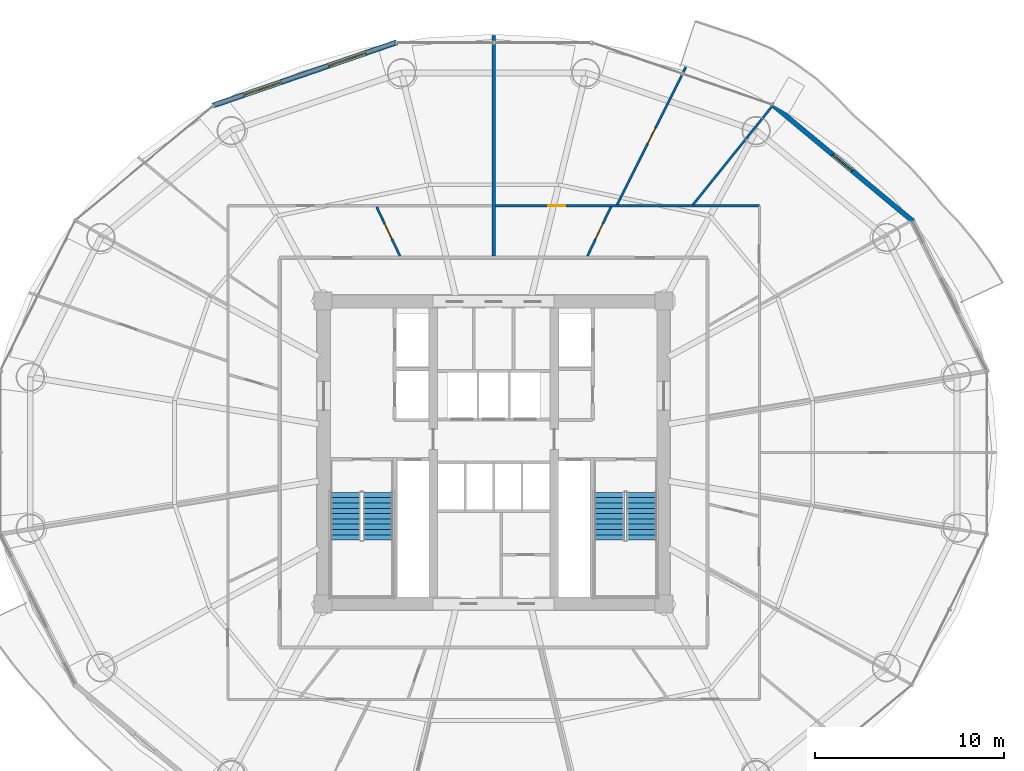
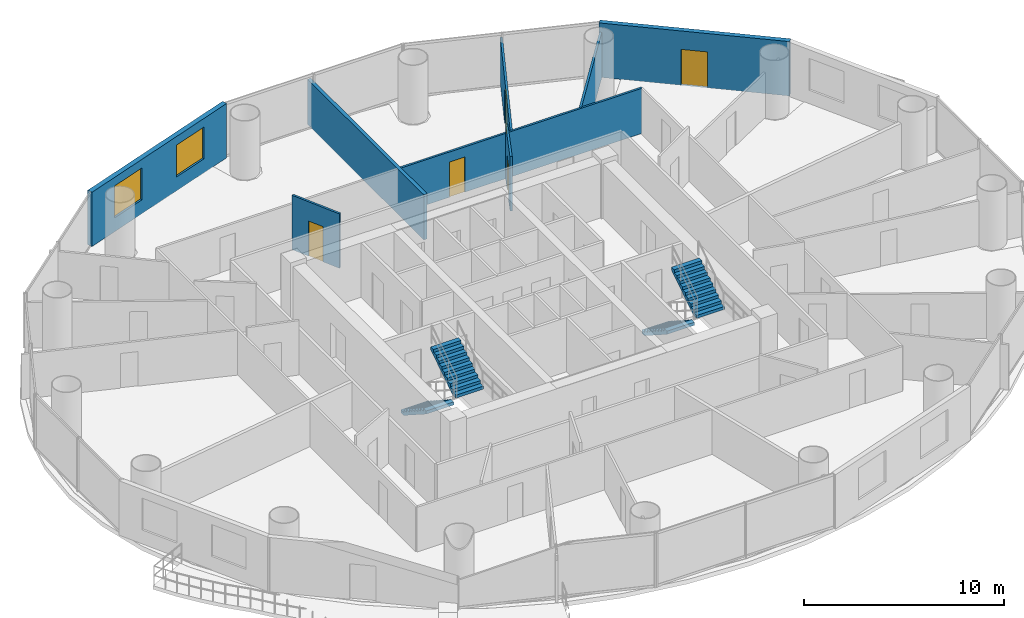
# One storey, part 25 of 29: 8 walls, 5 doors, 4 stair flights, 2 windows, 7 openings, 2 elements without a shape of their own.
"""IFC4 building model written with IfcOpenShell, lengths in metres."""

import ifcopenshell
import ifcopenshell.guid

model = None  # the IFC model being written
_history = None  # IfcOwnerHistory: only IFC2X3 demands one
_inside = {}  # id of a spatial element -> (the spatial element, [elements in it])
_under = {}  # id of a project, library or spatial element -> (it, [spatial elements below it])
_declared = {}  # id of a project -> (the project, [libraries it declares])
_typed = {}  # id of a type object -> (the type object, [elements of that type])
_made_of = {}  # id of a material, layer set ... -> (it, [elements and type objects made of it])


def new_model(schema):
    """Start an empty IFC model of exactly this schema.

    Asked for "IFC4X3", IfcOpenShell would pick the latest addendum, in which some entities
    have other attributes; the version numbers below select the first issue.
    IFC2X3 requires an IfcOwnerHistory on every rooted entity: one is made here for all.
    """
    global model, _history
    if schema == "IFC4X3":
        model = ifcopenshell.file(schema_version=(4, 3, 0, 0))
    else:
        model = ifcopenshell.file(schema=schema)
    _inside.clear()
    _under.clear()
    _declared.clear()
    _typed.clear()
    _made_of.clear()
    _history = None
    if model.schema == "IFC2X3":
        org = make("IfcOrganization", Name="unknown")
        user = make(
            "IfcPersonAndOrganization",
            ThePerson=make("IfcPerson", FamilyName="unknown"),
            TheOrganization=org,
        )
        app = make(
            "IfcApplication",
            ApplicationDeveloper=org,
            Version="unknown",
            ApplicationFullName="unknown",
            ApplicationIdentifier="unknown",
        )
        _history = make(
            "IfcOwnerHistory",
            OwningUser=user,
            OwningApplication=app,
            ChangeAction="ADDED",
            CreationDate=0,
        )
    return model


def make(cls, **values):
    """One entity of the class cls with the attributes given. An attribute that is None is left unset."""
    return model.create_entity(
        cls, **{name: value for name, value in values.items() if value is not None}
    )


def rooted(cls, **values):
    """An entity with a GlobalId (a new one), such as an element, a storey or a relation."""
    return make(cls, GlobalId=ifcopenshell.guid.new(), OwnerHistory=_history, **values)


def si_unit(unit_type, name, prefix=None):
    """IfcSIUnit, for example si_unit("LENGTHUNIT", "METRE", prefix="MILLI")."""
    return make("IfcSIUnit", UnitType=unit_type, Prefix=prefix, Name=name)


def assignment(units):
    """IfcUnitAssignment: the units of a project."""
    return None if units is None else make("IfcUnitAssignment", Units=units)


def point(xyz):
    """IfcCartesianPoint."""
    return None if xyz is None else make("IfcCartesianPoint", Coordinates=xyz)


def direction(xyz):
    """IfcDirection."""
    return None if xyz is None else make("IfcDirection", DirectionRatios=xyz)


def frame(location, z_axis=None, x_axis=None):
    """IfcAxis2Placement3D, a coordinate frame: its origin and axes. An axis left out is left unset."""
    return make(
        "IfcAxis2Placement3D",
        Location=point(location),
        Axis=direction(z_axis),
        RefDirection=direction(x_axis),
    )


def frame_2d(location, x_axis=None):
    """IfcAxis2Placement2D, a coordinate frame in the plane: its origin and x axis."""
    return make(
        "IfcAxis2Placement2D", Location=point(location), RefDirection=direction(x_axis)
    )


def origin():
    """The frame at (0, 0, 0) with its axes left unset."""
    return frame((0.0, 0.0, 0.0))


def place(relative_to, where):
    """IfcLocalPlacement: puts the frame where relative to a parent placement (None: the world)."""
    return make(
        "IfcLocalPlacement", PlacementRelTo=relative_to, RelativePlacement=where
    )


def context(
    kind, dimensions, precision=None, world=None, true_north=None, identifier=None
):
    """IfcGeometricRepresentationContext, for example the 3D "Model" context."""
    return make(
        "IfcGeometricRepresentationContext",
        ContextIdentifier=identifier,
        ContextType=kind,
        CoordinateSpaceDimension=dimensions,
        Precision=precision,
        WorldCoordinateSystem=world,
        TrueNorth=true_north,
    )


def subcontext(parent, identifier, kind, view, scale=None):
    """IfcGeometricRepresentationSubContext, for example "Body" below "Model"."""
    return make(
        "IfcGeometricRepresentationSubContext",
        ContextIdentifier=identifier,
        ContextType=kind,
        ParentContext=parent,
        TargetScale=scale,
        TargetView=view,
    )


def project(units=None, contexts=None):
    """IfcProject with its units and contexts."""
    return rooted(
        "IfcProject",
        Name="project",
        RepresentationContexts=contexts,
        UnitsInContext=assignment(units),
    )


def spatial(cls, under=None, at=None, **own):
    """A site, building, storey or space (cls), placed at a placement, below another one or the project."""
    s = rooted(cls, ObjectPlacement=at, **own)
    if under is not None:
        _under.setdefault(under.id(), (under, []))[1].append(s)
    return s


def polyline(points):
    """IfcPolyline through the points."""
    return make("IfcPolyline", Points=[point(p) for p in points])


def profile(cls, at=None, kind="AREA", **sizes):
    """A parametric profile (cls). Its sizes go by their IFC names, for example OverallWidth=200.0."""
    return make(cls, ProfileType=kind, Position=at, **sizes)


def rectangle(**sizes):
    """IfcRectangleProfileDef."""
    return profile("IfcRectangleProfileDef", **sizes)


def outline(outer, holes=None, kind="AREA"):
    """IfcArbitraryClosedProfileDef: a profile drawn as a closed curve; with holes, ...WithVoids."""
    if holes is None:
        return make("IfcArbitraryClosedProfileDef", ProfileType=kind, OuterCurve=outer)
    return make(
        "IfcArbitraryProfileDefWithVoids",
        ProfileType=kind,
        OuterCurve=outer,
        InnerCurves=holes,
    )


def extrude(swept, where, along, depth):
    """IfcExtrudedAreaSolid: the profile swept, set in the frame where, extruded along a direction by depth."""
    return make(
        "IfcExtrudedAreaSolid",
        SweptArea=swept,
        Position=where,
        ExtrudedDirection=direction(along),
        Depth=depth,
    )


def shape(context_of_items, identifier, shape_type, items):
    """IfcShapeRepresentation: the items that make up one representation, for example the "Body"."""
    return make(
        "IfcShapeRepresentation",
        ContextOfItems=context_of_items,
        RepresentationIdentifier=identifier,
        RepresentationType=shape_type,
        Items=items,
    )


def source(mapping_origin, context_of_items, identifier, shape_type, items):
    """IfcRepresentationMap: a shape defined once, which mapped items show again and again."""
    return make(
        "IfcRepresentationMap",
        MappingOrigin=mapping_origin,
        MappedRepresentation=shape(context_of_items, identifier, shape_type, items),
    )


def transform(
    local_origin,
    x_axis=None,
    y_axis=None,
    z_axis=None,
    scale=None,
    scale2=None,
    scale3=None,
    uniform=True,
):
    """IfcCartesianTransformationOperator3D, or its non-uniform kind. x_axis, y_axis, z_axis: its Axis1, 2, 3."""
    if uniform:
        return make(
            "IfcCartesianTransformationOperator3D",
            Axis1=direction(x_axis),
            Axis2=direction(y_axis),
            LocalOrigin=point(local_origin),
            Scale=scale,
            Axis3=direction(z_axis),
        )
    return make(
        "IfcCartesianTransformationOperator3DnonUniform",
        Axis1=direction(x_axis),
        Axis2=direction(y_axis),
        LocalOrigin=point(local_origin),
        Scale=scale,
        Axis3=direction(z_axis),
        Scale2=scale2,
        Scale3=scale3,
    )


def mapped(mapping_source, mapping_target):
    """IfcMappedItem: shows the shape of a source again, moved by a transform."""
    return make(
        "IfcMappedItem", MappingSource=mapping_source, MappingTarget=mapping_target
    )


def material(Name=None, Category=None):
    """IfcMaterial."""
    return make("IfcMaterial", Name=Name, Category=Category)


def layer(
    of_material, thickness, ventilated=None, Name=None, Category=None, Priority=None
):
    """IfcMaterialLayer: one layer of a wall or slab, of a material (None: an air gap)."""
    return make(
        "IfcMaterialLayer",
        Material=of_material,
        LayerThickness=thickness,
        IsVentilated=ventilated,
        Name=Name,
        Category=Category,
        Priority=Priority,
    )


def layer_set(layers, Name=None):
    """IfcMaterialLayerSet."""
    return make("IfcMaterialLayerSet", MaterialLayers=layers, LayerSetName=Name)


def made_of(thing, what):
    """Note that an element or type object is made of a material, layer set ...; save() writes the relation."""
    if what is not None:
        _made_of.setdefault(what.id(), (what, []))[1].append(thing)
    return thing


def type_object(cls, material=None, **own):
    """A type object (cls), such as IfcWallType, which elements share."""
    return made_of(rooted(cls, **own), material)


def element(
    cls,
    number,
    at=None,
    inside=None,
    cuts=None,
    type_object=None,
    material=None,
    context=None,
    identifier="Body",
    shape_type=None,
    held_by="IfcProductDefinitionShape",
    body=None,
    shapes=None,
    **own,
):
    """One element of the class cls, such as IfcWall. Its Tag is "e" and its number.

    at: its placement. inside: the storey or other place that contains it. cuts: it is an
    opening in that element (IfcRelVoidsElement). A single representation is given by context,
    identifier, shape_type and body (its items); several are given by shapes. held_by: the class
    of the entity that holds the representations. save() writes the other relations.
    """
    e = rooted(cls, Tag="e%d" % number, ObjectPlacement=at, **own)
    if body is not None:
        shapes = [shape(context, identifier, shape_type, body)]
    if shapes is not None:
        e.Representation = make(held_by, Representations=shapes)
    if inside is not None:
        _inside.setdefault(inside.id(), (inside, []))[1].append(e)
    if cuts is not None:
        rooted(
            "IfcRelVoidsElement", RelatingBuildingElement=cuts, RelatedOpeningElement=e
        )
    if type_object is not None:
        _typed.setdefault(type_object.id(), (type_object, []))[1].append(e)
    return made_of(e, material)


def fill(opening, filler):
    """IfcRelFillsElement: the door or window that sits in an opening."""
    return rooted(
        "IfcRelFillsElement",
        RelatingOpeningElement=opening,
        RelatedBuildingElement=filler,
    )


def aggregate(whole, parts):
    """IfcRelAggregates: a whole, such as a stair, and the parts it consists of."""
    return rooted("IfcRelAggregates", RelatingObject=whole, RelatedObjects=parts)


def save(model, path):
    """Write the relations noted so far, then the file.

    IfcRelAggregates (storeys below a building ...), IfcRelContainedInSpatialStructure (elements
    in a storey), IfcRelDefinesByType, IfcRelAssociatesMaterial and IfcRelDeclares: one each for
    every whole, place, type object, material and project.
    """
    for whole, parts in _under.values():
        aggregate(whole, parts)
    for where, things in _inside.values():
        rooted(
            "IfcRelContainedInSpatialStructure",
            RelatedElements=things,
            RelatingStructure=where,
        )
    for kind, things in _typed.values():
        rooted("IfcRelDefinesByType", RelatedObjects=things, RelatingType=kind)
    for what, things in _made_of.values():
        rooted("IfcRelAssociatesMaterial", RelatedObjects=things, RelatingMaterial=what)
    for by, libraries in _declared.values():
        rooted("IfcRelDeclares", RelatingContext=by, RelatedDefinitions=libraries)
    model.write(path)


model = new_model("IFC4")

# Units and contexts
model_context = context("Model", 3, precision=1e-05, world=origin(), true_north=direction((-0.2419218956, 0.970295726276)))
body_context = subcontext(model_context, "Body", "Model", "MODEL_VIEW")
ifc_project = project(units=[si_unit("LENGTHUNIT", "METRE"), si_unit("AREAUNIT", "SQUARE_METRE"), si_unit("VOLUMEUNIT", "CUBIC_METRE"), si_unit("PLANEANGLEUNIT", "RADIAN"), si_unit("MASSUNIT", "GRAM", prefix="KILO")], contexts=[model_context])

# Site, building, storey
site_placement = place(None, origin())
site = spatial("IfcSite", under=ifc_project, at=site_placement, CompositionType="ELEMENT")
building_placement = place(site_placement, origin())
building = spatial("IfcBuilding", under=site, at=building_placement, Name="Cobrevalo Terracotta Tower", CompositionType="ELEMENT")
storey_placement = place(building_placement, frame((0.0, 0.0, 87.0)))
storey = spatial("IfcBuildingStorey", under=building, at=storey_placement, Name="L22", CompositionType="ELEMENT", Elevation=87.0)

# Wall
ifc_material_1 = material(Name="Autoclaved aerated concrete block", Category="concrete")
ifc_layer_1 = layer(ifc_material_1, 0.199951171875)
ifc_layer_set_1 = layer_set([ifc_layer_1], Name="Autoclaved aerated concrete block")
wall_type_1 = type_object("IfcWallType", Name="Fire-rated stair, shaft & demising masonry wall 200 mm", PredefinedType="PARTITIONING", material=ifc_layer_set_1)
wall_1_placement = place(storey_placement, frame((38.0, 37.18505859375, 0.0), z_axis=(0.0, 0.0, 1.0), x_axis=(0.0, 1.0, 0.0)))
element("IfcWall", 1, at=wall_1_placement, inside=storey, type_object=wall_type_1, Name="L22 interior partition IW-L22-DEM-2", PredefinedType="PARTITIONING", context=body_context, shape_type="SweptSolid", body=[
    extrude(rectangle(XDim=11.655029296875, YDim=0.199951171875, at=frame_2d((5.82763671875, 0.0))), origin(), (0.0, 0.0, 1.0), 2.76708984375),
])

# Wall, openings, windows
ifc_layer_2 = layer(ifc_material_1, 0.280029296875)
ifc_layer_set_2 = layer_set([ifc_layer_2], Name="Autoclaved aerated concrete block")
wall_type_2 = type_object("IfcWallType", Name="Insulated tower spandrel & pier wall 280 mm with terracotta rainscreen", PredefinedType="SOLIDWALL", material=ifc_layer_set_2)
wall_2_placement = place(storey_placement, frame((32.89208984375, 48.471923828125, 0.0), z_axis=(0.0, 0.0, 1.0), x_axis=(-0.945597432299, -0.325339047809, 0.0)))
wall_2 = element("IfcWall", 2, at=wall_2_placement, inside=storey, type_object=wall_type_2, Name="L22 terracotta rainscreen pier wall S05", PredefinedType="SOLIDWALL", context=body_context, shape_type="SweptSolid", body=[
    extrude(rectangle(XDim=10.2890625, YDim=0.280029296875, at=frame_2d((5.14453125, 0.0))), origin(), (0.0, 0.0, 1.0), 3.324951171875),
])
opening_1_placement = place(wall_2_placement, frame((1.72802734375, 0.0, 0.85009765625)))
opening_1 = element("IfcOpeningElement", 3, at=opening_1_placement, cuts=wall_2, Name="Opening WN-10", PredefinedType="OPENING", context=body_context, shape_type="SweptSolid", body=[
    extrude(rectangle(XDim=2.10009765625, YDim=1.949951171875, at=frame_2d((1.050048828125, 0.97509765625))), frame((0.0, 0.14990234375, 0.0), z_axis=(0.0, -1.0, 0.0), x_axis=(1.0, 0.0, 0.0)), (0.0, 0.0, 1.0), 0.300048828125),
])
opening_2_placement = place(wall_2_placement, frame((6.4609375, 0.0, 0.85009765625)))
opening_2 = element("IfcOpeningElement", 4, at=opening_2_placement, cuts=wall_2, Name="Opening WN-10", PredefinedType="OPENING", context=body_context, shape_type="SweptSolid", body=[
    extrude(rectangle(XDim=2.10009765625, YDim=1.949951171875, at=frame_2d((1.050048828125, 0.97509765625))), frame((0.0, 0.14990234375, 0.0), z_axis=(0.0, -1.0, 0.0), x_axis=(1.0, 0.0, 0.0)), (0.0, 0.0, 1.0), 0.300048828125),
])
ifc_material_2 = material(Name="Solar-control low-E double glazing", Category="glass")
window_type = type_object("IfcWindowType", Name="Wide panoramic low-E aluminium window 2100x1950", PartitioningType="SINGLE_PANEL", PredefinedType="WINDOW", material=ifc_material_2)
shared_shape_1 = source(origin(), body_context, "Body", "SweptSolid", [
    extrude(rectangle(XDim=2.10009765625, YDim=1.949951171875, at=frame_2d((1.050048828125, 0.97509765625))), frame((0.0, 0.030029296875, 0.0), z_axis=(0.0, -1.0, 0.0), x_axis=(1.0, 0.0, 0.0)), (0.0, 0.0, 1.0), 0.06005859375),
])
window_1_placement = place(opening_1_placement, origin())
window_1 = element("IfcWindow", 5, at=window_1_placement, inside=storey, type_object=window_type, Name="L22 suite window S05A", OverallHeight=1.949951171875, OverallWidth=2.10009765625, PartitioningType="SINGLE_PANEL", PredefinedType="WINDOW", context=body_context, shape_type="MappedRepresentation", body=[
    mapped(shared_shape_1, transform((0.0, 0.0, 0.0), scale=1.0)),
])
fill(opening_1, window_1)
window_2_placement = place(opening_2_placement, origin())
window_2 = element("IfcWindow", 6, at=window_2_placement, inside=storey, type_object=window_type, Name="L22 suite window S05B", OverallHeight=1.949951171875, OverallWidth=2.10009765625, PartitioningType="SINGLE_PANEL", PredefinedType="WINDOW", context=body_context, shape_type="MappedRepresentation", body=[
    mapped(shared_shape_1, transform((0.0, 0.0, 0.0), scale=1.0)),
])
fill(opening_2, window_2)

# Wall, opening, door
ifc_layer_3 = layer(ifc_material_1, 0.260009765625)
ifc_layer_set_3 = layer_set([ifc_layer_3], Name="Autoclaved aerated concrete block")
wall_type_3 = type_object("IfcWallType", Name="Recessed balcony loggia insulated exterior wall 260 mm", PredefinedType="SOLIDWALL", material=ifc_layer_set_3)
wall_3_placement = place(storey_placement, frame((60.15380859375, 39.01025390625, 0.0), z_axis=(0.0, 0.0, 1.0), x_axis=(-0.769242574941, 0.638956853706, 0.0)))
wall_3 = element("IfcWall", 7, at=wall_3_placement, inside=storey, type_object=wall_type_3, Name="L22 balcony loggia wall S02", PredefinedType="SOLIDWALL", context=body_context, shape_type="SweptSolid", body=[
    extrude(rectangle(XDim=9.68994140625, YDim=0.260009765625, at=frame_2d((4.844970703125, 0.0))), origin(), (0.0, 0.0, 1.0), 3.324951171875),
])
opening_3_placement = place(wall_3_placement, frame((4.169921875, 0.0, 0.0)))
opening_3 = element("IfcOpeningElement", 8, at=opening_3_placement, cuts=wall_3, Name="Opening ED-05", PredefinedType="OPENING", context=body_context, shape_type="SweptSolid", body=[
    extrude(rectangle(XDim=1.35009765625, YDim=2.199951171875, at=frame_2d((0.675048828125, 1.10009765625))), frame((0.0, 0.14013671875, 0.0), z_axis=(0.0, -1.0, 0.0), x_axis=(1.0, 0.0, 0.0)), (0.0, 0.0, 1.0), 0.280029296875),
])
ifc_material_3 = material(Name="Anodized aluminium and laminated glass", Category="aluminium")
door_type_1 = type_object("IfcDoorType", Name="Suite balcony acoustic glazed terrace door 1350x2200", OperationType="NOTDEFINED", PredefinedType="DOOR", material=ifc_material_3)
shared_shape_2 = source(origin(), body_context, "Body", "SweptSolid", [
    extrude(rectangle(XDim=1.35009765625, YDim=2.199951171875, at=frame_2d((0.675048828125, 1.10009765625))), frame((0.0, 0.02490234375, 0.0), z_axis=(0.0, -1.0, 0.0), x_axis=(1.0, 0.0, 0.0)), (0.0, 0.0, 1.0), 0.050048828125),
])
door_1_placement = place(opening_3_placement, frame((1.35009765625, 0.0, 0.0), z_axis=(0.0, 0.0, 1.0), x_axis=(-1.0, 0.0, 0.0)))
door_1 = element("IfcDoor", 9, at=door_1_placement, inside=storey, type_object=door_type_1, Name="L22 glazed balcony terrace door 1", OperationType="SINGLE_SWING_LEFT", OverallHeight=2.199951171875, OverallWidth=1.35009765625, PredefinedType="DOOR", context=body_context, shape_type="MappedRepresentation", body=[
    mapped(shared_shape_2, transform((0.0, 0.0, 0.0), scale=1.0)),
])
fill(opening_3, door_1)

ifc_material_4 = material(Name="Gypsum board on steel stud", Category="steel")
ifc_layer_4 = layer(ifc_material_4, 0.1201171875)
ifc_layer_set_4 = layer_set([ifc_layer_4], Name="Gypsum board on steel stud")
wall_type_4 = type_object("IfcWallType", Name="Residential internal acoustic stud partition 120 mm", PredefinedType="PARTITIONING", material=ifc_layer_set_4)
wall_4_placement = place(storey_placement, frame((38.10205078125, 39.8349609375, 0.0), z_axis=(0.0, 0.0, 1.0), x_axis=(1.0, 0.0, 0.0)))
wall_4 = element("IfcWall", 10, at=wall_4_placement, inside=storey, type_object=wall_type_4, Name="L22 interior partition IW-L22-U1-RING0_0", PredefinedType="PARTITIONING", context=body_context, shape_type="SweptSolid", body=[
    extrude(rectangle(XDim=13.932861328125, YDim=0.1201171875, at=frame_2d((6.96630859375, 0.0))), origin(), (0.0, 0.0, 1.0), 2.76708984375),
])
opening_4_placement = place(wall_4_placement, frame((2.769287109375, 0.0, 0.0)))
opening_4 = element("IfcOpeningElement", 11, at=opening_4_placement, cuts=wall_4, Name="Opening ID-12", PredefinedType="OPENING", context=body_context, shape_type="SweptSolid", body=[
    extrude(rectangle(XDim=0.89990234375, YDim=2.14990234375, at=frame_2d((0.449951171875, 1.074951171875))), frame((0.0, 0.070068359375, 0.0), z_axis=(0.0, -1.0, 0.0), x_axis=(1.0, 0.0, 0.0)), (0.0, 0.0, 1.0), 0.14013671875),
])
ifc_material_5 = material(Name="Engineered timber", Category="wood")
door_type_2 = type_object("IfcDoorType", Name="Internal residence & suite timber door 900x2150", OperationType="NOTDEFINED", PredefinedType="DOOR", material=ifc_material_5)
shared_shape_3 = source(origin(), body_context, "Body", "SweptSolid", [
    extrude(rectangle(XDim=0.89990234375, YDim=2.14990234375, at=frame_2d((0.449951171875, 1.074951171875))), frame((0.0, 0.02490234375, 0.0), z_axis=(0.0, -1.0, 0.0), x_axis=(1.0, 0.0, 0.0)), (0.0, 0.0, 1.0), 0.050048828125),
])
door_2_placement = place(opening_4_placement, origin())
door_2 = element("IfcDoor", 12, at=door_2_placement, inside=storey, type_object=door_type_2, Name="Flat L22A Penthouse Family Lounge internal door", OperationType="SINGLE_SWING_LEFT", OverallHeight=2.14990234375, OverallWidth=0.89990234375, PredefinedType="DOOR", context=body_context, shape_type="MappedRepresentation", body=[
    mapped(shared_shape_3, transform((0.0, 0.0, 0.0), scale=1.0)),
])
fill(opening_4, door_2)

# Wall
wall_5_placement = place(storey_placement, frame((48.52197265625, 39.88330078125, 0.0), z_axis=(0.0, 0.0, 1.0), x_axis=(0.62672583251, 0.779239841682, 0.0)))
element("IfcWall", 13, at=wall_5_placement, inside=storey, type_object=wall_type_4, Name="L22 interior partition IW-L22-U1-ORAD2M1", PredefinedType="PARTITIONING", context=body_context, shape_type="SweptSolid", body=[
    extrude(rectangle(XDim=6.678466796875, YDim=0.1201171875, at=frame_2d((3.33935546875, 0.0))), origin(), (0.0, 0.0, 1.0), 2.76708984375),
])

# Wall, opening, door
wall_6_placement = place(storey_placement, frame((44.5263671875, 39.890380859375, 0.0), z_axis=(0.0, 0.0, 1.0), x_axis=(0.446167584581, 0.894949432353, 0.0)))
wall_6 = element("IfcWall", 14, at=wall_6_placement, inside=storey, type_object=wall_type_4, Name="L22 interior partition IW-L22-U1-ORAD2", PredefinedType="PARTITIONING", context=body_context, shape_type="SweptSolid", body=[
    extrude(rectangle(XDim=8.124755859375, YDim=0.1201171875, at=frame_2d((4.0625, 0.0))), origin(), (0.0, 0.0, 1.0), 2.76708984375),
])
opening_5_placement = place(wall_6_placement, frame((3.6123046875, 0.0, 0.0)))
opening_5 = element("IfcOpeningElement", 15, at=opening_5_placement, cuts=wall_6, Name="Opening ID-12", PredefinedType="OPENING", context=body_context, shape_type="SweptSolid", body=[
    extrude(rectangle(XDim=0.89990234375, YDim=2.14990234375, at=frame_2d((0.449951171875, 1.074951171875))), frame((0.0, 0.070068359375, 0.0), z_axis=(0.0, -1.0, 0.0), x_axis=(1.0, 0.0, 0.0)), (0.0, 0.0, 1.0), 0.14013671875),
])
door_3_placement = place(opening_5_placement, frame((0.89990234375, 0.0, 0.0), z_axis=(0.0, 0.0, 1.0), x_axis=(-1.0, 0.0, 0.0)))
door_3 = element("IfcDoor", 16, at=door_3_placement, inside=storey, type_object=door_type_2, Name="Flat L22A Principal Guest Bedroom internal door", OperationType="SINGLE_SWING_LEFT", OverallHeight=2.14990234375, OverallWidth=0.89990234375, PredefinedType="DOOR", context=body_context, shape_type="MappedRepresentation", body=[
    mapped(shared_shape_3, transform((0.0, 0.0, 0.0), scale=1.0)),
])
fill(opening_5, door_3)

wall_7_placement = place(storey_placement, frame((42.9560546875, 37.18505859375, 0.0), z_axis=(0.0, 0.0, 1.0), x_axis=(0.430728013923, 0.902481788194, 0.0)))
wall_7 = element("IfcWall", 17, at=wall_7_placement, inside=storey, type_object=wall_type_4, Name="L22 interior partition IW-L22-U1-IRAD2", PredefinedType="PARTITIONING", context=body_context, shape_type="SweptSolid", body=[
    extrude(rectangle(XDim=2.874267578125, YDim=0.1201171875, at=frame_2d((1.43701171875, 0.0))), origin(), (0.0, 0.0, 1.0), 3.324951171875),
])
opening_6_placement = place(wall_7_placement, frame((0.9873046875, 0.0, 0.0)))
opening_6 = element("IfcOpeningElement", 18, at=opening_6_placement, cuts=wall_7, Name="Opening ID-12", PredefinedType="OPENING", context=body_context, shape_type="SweptSolid", body=[
    extrude(rectangle(XDim=0.89990234375, YDim=2.14990234375, at=frame_2d((0.449951171875, 1.074951171875))), frame((0.0, 0.070068359375, 0.0), z_axis=(0.0, -1.0, 0.0), x_axis=(1.0, 0.0, 0.0)), (0.0, 0.0, 1.0), 0.14013671875),
])
door_4_placement = place(opening_6_placement, origin())
door_4 = element("IfcDoor", 19, at=door_4_placement, inside=storey, type_object=door_type_2, Name="Flat L22A Kitchen internal door", OperationType="SINGLE_SWING_RIGHT", OverallHeight=2.14990234375, OverallWidth=0.89990234375, PredefinedType="DOOR", context=body_context, shape_type="MappedRepresentation", body=[
    mapped(shared_shape_3, transform((0.0, 0.0, 0.0), scale=1.0)),
])
fill(opening_6, door_4)

wall_8_placement = place(storey_placement, frame((33.053466796875, 37.18505859375, 0.0), z_axis=(0.0, 0.0, 1.0), x_axis=(-0.429966564324, 0.902844811451, 0.0)))
wall_8 = element("IfcWall", 20, at=wall_8_placement, inside=storey, type_object=wall_type_4, Name="L22 interior partition IW-L22-U2-IRAD1", PredefinedType="PARTITIONING", context=body_context, shape_type="SweptSolid", body=[
    extrude(rectangle(XDim=2.873046875, YDim=0.1201171875, at=frame_2d((1.4365234375, 0.0))), origin(), (0.0, 0.0, 1.0), 3.324951171875),
])
opening_7_placement = place(wall_8_placement, frame((1.006591796875, 0.0, 0.0)))
opening_7 = element("IfcOpeningElement", 21, at=opening_7_placement, cuts=wall_8, Name="Opening ID-19", PredefinedType="OPENING", context=body_context, shape_type="SweptSolid", body=[
    extrude(rectangle(XDim=0.860107421875, YDim=2.14990234375, at=frame_2d((0.43017578125, 1.074951171875))), frame((0.0, 0.070068359375, 0.0), z_axis=(0.0, -1.0, 0.0), x_axis=(1.0, 0.0, 0.0)), (0.0, 0.0, 1.0), 0.14013671875),
])
ifc_material_6 = material(Name="Moisture-sealed timber", Category="wood")
door_type_3 = type_object("IfcDoorType", Name="Suite bathroom internal timber door 860x2150", OperationType="NOTDEFINED", PredefinedType="DOOR", material=ifc_material_6)
shared_shape_4 = source(origin(), body_context, "Body", "SweptSolid", [
    extrude(rectangle(XDim=0.860107421875, YDim=2.14990234375, at=frame_2d((0.43017578125, 1.074951171875))), frame((0.0, 0.02490234375, 0.0), z_axis=(0.0, -1.0, 0.0), x_axis=(1.0, 0.0, 0.0)), (0.0, 0.0, 1.0), 0.050048828125),
])
door_5_placement = place(opening_7_placement, frame((0.860107421875, 0.0, 0.0), z_axis=(0.0, 0.0, 1.0), x_axis=(-1.0, 0.0, 0.0)))
door_5 = element("IfcDoor", 22, at=door_5_placement, inside=storey, type_object=door_type_3, Name="Flat L22B Primary Bathroom internal door", OperationType="SINGLE_SWING_RIGHT", OverallHeight=2.14990234375, OverallWidth=0.860107421875, PredefinedType="DOOR", context=body_context, shape_type="MappedRepresentation", body=[
    mapped(shared_shape_4, transform((0.0, 0.0, 0.0), scale=1.0)),
])
fill(opening_7, door_5)

# Stair, stair flights
ifc_material_7 = material(Name="Concrete C50", Category="concrete")
stair_type = type_object("IfcStairType", Name="Core protected escape dogleg stair 1600", PredefinedType="HALF_TURN_STAIR", material=ifc_material_7)
stair_1_placement = place(storey_placement, origin())
stair_1 = element("IfcStair", 23, at=stair_1_placement, inside=storey, type_object=stair_type, Name="L22 Protected exit stair ST-1", PredefinedType="HALF_TURN_STAIR")
stair_flight_type = type_object("IfcStairFlightType", Name="Core protected escape dogleg stair 1600 flight", PredefinedType="STRAIGHT", material=ifc_material_7)
stair_flight_1_placement = place(storey_placement, frame((30.175048828125, 24.699951171875, 0.0), z_axis=(0.0, 0.0, 1.0), x_axis=(0.0, -1.0, 0.0)))
stair_flight_1 = element("IfcStairFlight", 24, at=stair_flight_1_placement, type_object=stair_flight_type, Name="ST-1 flight 1", NumberOfRisers=10, NumberOfTreads=9, PredefinedType="STRAIGHT", RiserHeight=0.18, TreadLength=0.28, context=body_context, shape_type="SweptSolid", body=[
    extrude(outline(polyline([(0.0, 0.0), (0.0, 0.179931640625), (0.280029296875, 0.179931640625), (0.280029296875, 0.360107421875), (0.56005859375, 0.360107421875), (0.56005859375, 0.5400390625), (0.840087890625, 0.5400390625), (0.840087890625, 0.719970703125), (1.1201171875, 0.719970703125), (1.1201171875, 0.89990234375), (1.39990234375, 0.89990234375), (1.39990234375, 1.080078125), (1.679931640625, 1.080078125), (1.679931640625, 1.260009765625), (1.9599609375, 1.260009765625), (1.9599609375, 1.43994140625), (2.239990234375, 1.43994140625), (2.239990234375, 1.6201171875), (2.52001953125, 1.6201171875), (2.52001953125, 1.800048828125), (2.52001953125, 1.429931640625), (0.295654296875, 0.0), (0.0, 0.0)])), frame((0.0, 0.800048828125, 0.0), z_axis=(0.0, -1.0, 0.0), x_axis=(1.0, 0.0, 0.0)), (0.0, 0.0, 1.0), 1.60009765625),
])
stair_flight_2_placement = place(storey_placement, frame((31.89501953125, 22.179931640625, 1.800048828125), z_axis=(0.0, 0.0, 1.0), x_axis=(0.0, 1.0, 0.0)))
stair_flight_2 = element("IfcStairFlight", 25, at=stair_flight_2_placement, type_object=stair_flight_type, Name="ST-1 flight 2", NumberOfRisers=10, NumberOfTreads=9, PredefinedType="STRAIGHT", RiserHeight=0.18, TreadLength=0.28, context=body_context, shape_type="SweptSolid", body=[
    extrude(outline(polyline([(0.0, 0.0), (0.0, 0.179931640625), (0.280029296875, 0.179931640625), (0.280029296875, 0.360107421875), (0.56005859375, 0.360107421875), (0.56005859375, 0.5400390625), (0.840087890625, 0.5400390625), (0.840087890625, 0.719970703125), (1.1201171875, 0.719970703125), (1.1201171875, 0.89990234375), (1.39990234375, 0.89990234375), (1.39990234375, 1.080078125), (1.679931640625, 1.080078125), (1.679931640625, 1.260009765625), (1.9599609375, 1.260009765625), (1.9599609375, 1.43994140625), (2.239990234375, 1.43994140625), (2.239990234375, 1.6201171875), (2.52001953125, 1.6201171875), (2.52001953125, 1.800048828125), (2.52001953125, 1.429931640625), (0.295654296875, 0.0), (0.0, 0.0)])), frame((0.0, 0.800048828125, 0.0), z_axis=(0.0, -1.0, 0.0), x_axis=(1.0, 0.0, 0.0)), (0.0, 0.0, 1.0), 1.60009765625),
])
aggregate(stair_1, [stair_flight_1, stair_flight_2])

stair_2_placement = place(storey_placement, origin())
stair_2 = element("IfcStair", 26, at=stair_2_placement, inside=storey, type_object=stair_type, Name="L22 Protected exit stair ST-2", PredefinedType="HALF_TURN_STAIR")
stair_flight_3_placement = place(storey_placement, frame((44.10498046875, 24.699951171875, 0.0), z_axis=(0.0, 0.0, 1.0), x_axis=(0.0, -1.0, 0.0)))
stair_flight_3 = element("IfcStairFlight", 27, at=stair_flight_3_placement, type_object=stair_flight_type, Name="ST-2 flight 1", NumberOfRisers=10, NumberOfTreads=9, PredefinedType="STRAIGHT", RiserHeight=0.18, TreadLength=0.28, context=body_context, shape_type="SweptSolid", body=[
    extrude(outline(polyline([(0.0, 0.0), (0.0, 0.179931640625), (0.280029296875, 0.179931640625), (0.280029296875, 0.360107421875), (0.56005859375, 0.360107421875), (0.56005859375, 0.5400390625), (0.840087890625, 0.5400390625), (0.840087890625, 0.719970703125), (1.1201171875, 0.719970703125), (1.1201171875, 0.89990234375), (1.39990234375, 0.89990234375), (1.39990234375, 1.080078125), (1.679931640625, 1.080078125), (1.679931640625, 1.260009765625), (1.9599609375, 1.260009765625), (1.9599609375, 1.43994140625), (2.239990234375, 1.43994140625), (2.239990234375, 1.6201171875), (2.52001953125, 1.6201171875), (2.52001953125, 1.800048828125), (2.52001953125, 1.429931640625), (0.295654296875, 0.0), (0.0, 0.0)])), frame((0.0, 0.800048828125, 0.0), z_axis=(0.0, -1.0, 0.0), x_axis=(1.0, 0.0, 0.0)), (0.0, 0.0, 1.0), 1.60009765625),
])
stair_flight_4_placement = place(storey_placement, frame((45.824951171875, 22.179931640625, 1.800048828125), z_axis=(0.0, 0.0, 1.0), x_axis=(0.0, 1.0, 0.0)))
stair_flight_4 = element("IfcStairFlight", 28, at=stair_flight_4_placement, type_object=stair_flight_type, Name="ST-2 flight 2", NumberOfRisers=10, NumberOfTreads=9, PredefinedType="STRAIGHT", RiserHeight=0.18, TreadLength=0.28, context=body_context, shape_type="SweptSolid", body=[
    extrude(outline(polyline([(0.0, 0.0), (0.0, 0.179931640625), (0.280029296875, 0.179931640625), (0.280029296875, 0.360107421875), (0.56005859375, 0.360107421875), (0.56005859375, 0.5400390625), (0.840087890625, 0.5400390625), (0.840087890625, 0.719970703125), (1.1201171875, 0.719970703125), (1.1201171875, 0.89990234375), (1.39990234375, 0.89990234375), (1.39990234375, 1.080078125), (1.679931640625, 1.080078125), (1.679931640625, 1.260009765625), (1.9599609375, 1.260009765625), (1.9599609375, 1.43994140625), (2.239990234375, 1.43994140625), (2.239990234375, 1.6201171875), (2.52001953125, 1.6201171875), (2.52001953125, 1.800048828125), (2.52001953125, 1.429931640625), (0.295654296875, 0.0), (0.0, 0.0)])), frame((0.0, 0.800048828125, 0.0), z_axis=(0.0, -1.0, 0.0), x_axis=(1.0, 0.0, 0.0)), (0.0, 0.0, 1.0), 1.60009765625),
])
aggregate(stair_2, [stair_flight_3, stair_flight_4])

save(model, "model.ifc")
